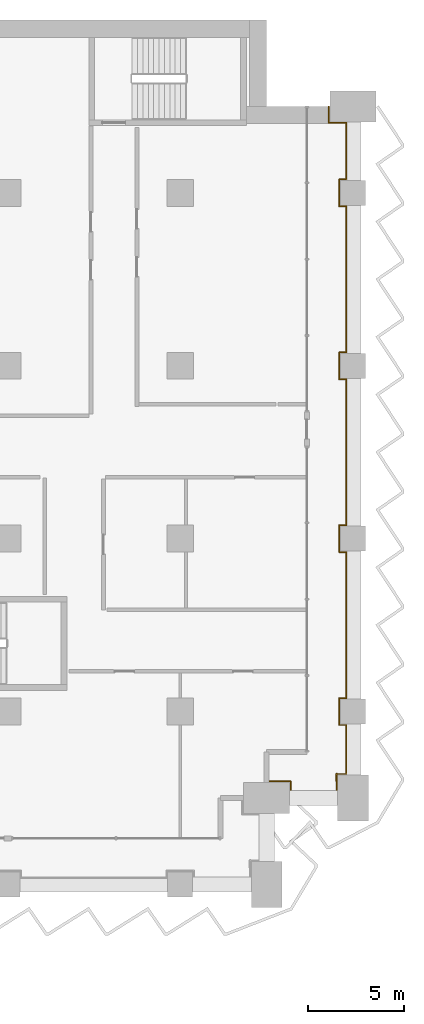
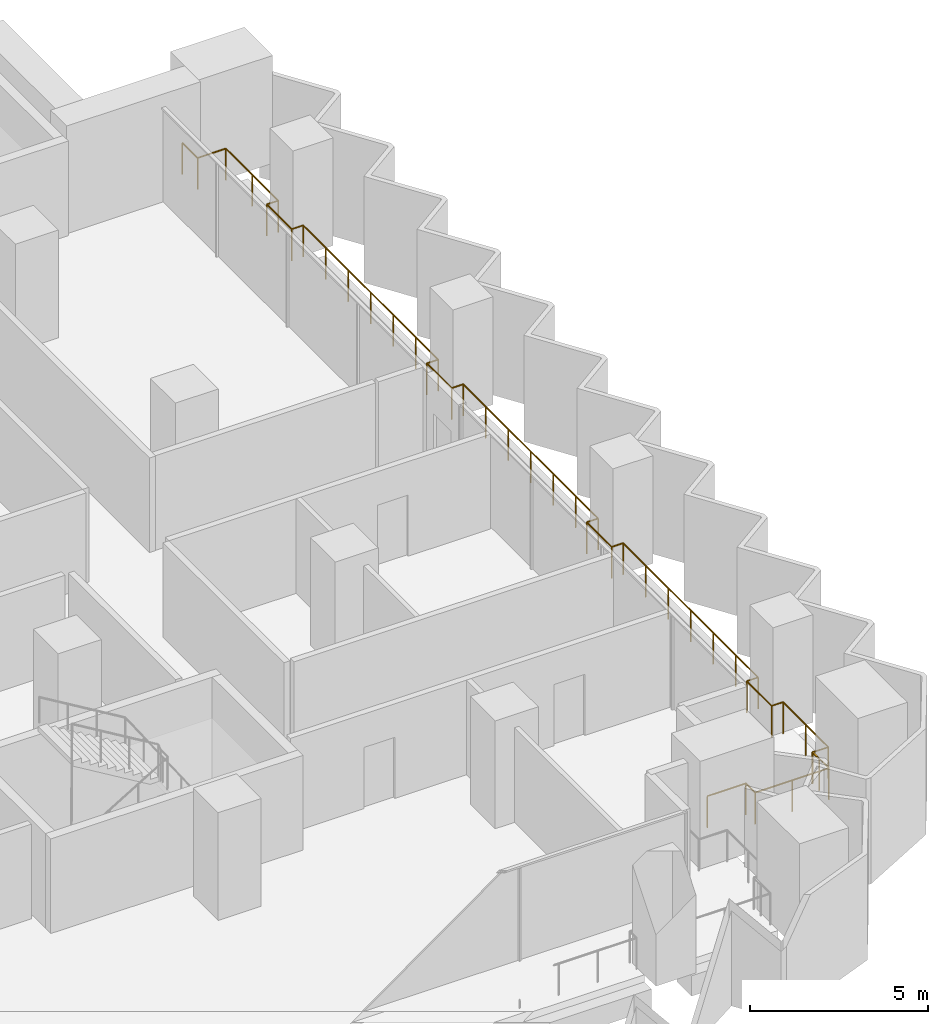
# One storey, part 28 of 28: 1 railing.
"""IFC4 building model written with IfcOpenShell, lengths in metres."""

from ifc_helpers import new_model, si_unit, direction, frame, origin, origin_2d, place, context, subcontext, project, spatial, circle, extrude, material, type_object, element, save


model = new_model("IFC4")

# Units and contexts
model_context = context("Model", 3, precision=1e-05, world=origin(), true_north=direction((0.0, 1.0)))
body_context = subcontext(model_context, "Body", "Model", "MODEL_VIEW")
ifc_project = project(units=[si_unit("LENGTHUNIT", "METRE"), si_unit("AREAUNIT", "SQUARE_METRE"), si_unit("VOLUMEUNIT", "CUBIC_METRE"), si_unit("PLANEANGLEUNIT", "RADIAN"), si_unit("MASSUNIT", "GRAM", prefix="KILO")], contexts=[model_context])

# Site, building, storey
site_placement = place(None, origin())
site = spatial("IfcSite", under=ifc_project, at=site_placement, CompositionType="ELEMENT")
building_placement = place(site_placement, origin())
building = spatial("IfcBuilding", under=site, at=building_placement, Name="Hunhe Ridgeline Campus", CompositionType="ELEMENT")
storey_placement = place(building_placement, frame((0.0, 0.0, 76.5)))
storey = spatial("IfcBuildingStorey", under=building, at=storey_placement, Name="L18", CompositionType="ELEMENT", Elevation=76.5)

# Railing
ifc_material = material(Name="Steel Q355", Category="steel")
railing_type = type_object("IfcRailingType", Name="Loggia guard 1100 Steel Q355", PredefinedType="GUARDRAIL", material=ifc_material)
railing_placement = place(storey_placement, frame((94.5, 59.3701171875, 0.0)))
element("IfcRailing", 1, at=railing_placement, inside=storey, type_object=railing_type, Name="Loggia guard 3", PredefinedType="GUARDRAIL", context=body_context, shape_type="SweptSolid", body=[
    extrude(circle(Radius=0.02392578125, at=origin_2d()), frame((0.0, 0.0, 1.076171875), z_axis=(1.0, 0.0, 0.0), x_axis=(0.0, 1.0, 0.0)), (0.0, 0.0, 1.0), 1.25),
    extrude(circle(Radius=0.02392578125, at=origin_2d()), frame((1.25, 0.0, 1.076171875), z_axis=(0.0, -1.0, 0.0), x_axis=(1.0, 0.0, 0.0)), (0.0, 0.0, 1.0), 0.52001953125),
    extrude(circle(Radius=0.02392578125, at=origin_2d()), frame((1.25, -0.52001953125, 1.076171875), z_axis=(1.0, 0.0, 0.0), x_axis=(0.0, 1.0, 0.0)), (0.0, 0.0, 1.0), 2.39990234375),
    extrude(circle(Radius=0.02392578125, at=origin_2d()), frame((3.64990234375, -0.52001953125, 1.076171875), z_axis=(0.0, 1.0, 0.0), x_axis=(-1.0, 0.0, 0.0)), (0.0, 0.0, 1.0), 0.919921875),
    extrude(circle(Radius=0.02392578125, at=origin_2d()), frame((3.64990234375, 0.39990234375, 1.076171875), z_axis=(-0.049998438503, -0.998749295943, 0.0), x_axis=(0.998749295943, -0.049998438503, 0.0)), (0.0, 0.0, 1.0), 0.400390625),
    extrude(circle(Radius=0.02392578125, at=origin_2d()), frame((3.6298828125, 0.0, 1.076171875), z_axis=(0.0, 1.0, 0.0), x_axis=(-1.0, 0.0, 0.0)), (0.0, 0.0, 1.0), 0.3798828125),
    extrude(circle(Radius=0.02392578125, at=origin_2d()), frame((3.6298828125, 0.3798828125, 1.076171875), z_axis=(1.0, 0.0, 0.0), x_axis=(0.0, 1.0, 0.0)), (0.0, 0.0, 1.0), 0.52001953125),
    extrude(circle(Radius=0.02392578125, at=origin_2d()), frame((4.14990234375, 0.3798828125, 1.076171875), z_axis=(0.0, 1.0, 0.0), x_axis=(-1.0, 0.0, 0.0)), (0.0, 0.0, 1.0), 2.550048828125),
    extrude(circle(Radius=0.02392578125, at=origin_2d()), frame((4.14990234375, 2.929931640625, 1.076171875), z_axis=(-1.0, 0.0, 0.0), x_axis=(0.0, -1.0, 0.0)), (0.0, 0.0, 1.0), 0.369873046875),
    extrude(circle(Radius=0.02392578125, at=origin_2d()), frame((3.780029296875, 2.929931640625, 1.076171875), z_axis=(0.0, 1.0, 0.0), x_axis=(-1.0, 0.0, 0.0)), (0.0, 0.0, 1.0), 1.39990234375),
    extrude(circle(Radius=0.02392578125, at=origin_2d()), frame((3.780029296875, 4.329833984375, 1.076171875), z_axis=(1.0, 0.0, 0.0), x_axis=(0.0, 1.0, 0.0)), (0.0, 0.0, 1.0), 0.369873046875),
    extrude(circle(Radius=0.02392578125, at=origin_2d()), frame((4.14990234375, 4.329833984375, 1.076171875), z_axis=(0.0, 1.0, 0.0), x_axis=(-1.0, 0.0, 0.0)), (0.0, 0.0, 1.0), 7.60009765625),
    extrude(circle(Radius=0.02392578125, at=origin_2d()), frame((4.14990234375, 11.929931640625, 1.076171875), z_axis=(-1.0, 0.0, 0.0), x_axis=(0.0, -1.0, 0.0)), (0.0, 0.0, 1.0), 0.369873046875),
    extrude(circle(Radius=0.02392578125, at=origin_2d()), frame((3.780029296875, 11.929931640625, 1.076171875), z_axis=(0.0, 1.0, 0.0), x_axis=(-1.0, 0.0, 0.0)), (0.0, 0.0, 1.0), 1.39990234375),
    extrude(circle(Radius=0.02392578125, at=origin_2d()), frame((3.780029296875, 13.329833984375, 1.076171875), z_axis=(1.0, 0.0, 0.0), x_axis=(0.0, 1.0, 0.0)), (0.0, 0.0, 1.0), 0.369873046875),
    extrude(circle(Radius=0.02392578125, at=origin_2d()), frame((4.14990234375, 13.329833984375, 1.076171875), z_axis=(0.0, 1.0, 0.0), x_axis=(-1.0, 0.0, 0.0)), (0.0, 0.0, 1.0), 7.60009765625),
    extrude(circle(Radius=0.02392578125, at=origin_2d()), frame((4.14990234375, 20.929931640625, 1.076171875), z_axis=(-1.0, 0.0, 0.0), x_axis=(0.0, -1.0, 0.0)), (0.0, 0.0, 1.0), 0.369873046875),
    extrude(circle(Radius=0.02392578125, at=origin_2d()), frame((3.780029296875, 20.929931640625, 1.076171875), z_axis=(0.0, 1.0, 0.0), x_axis=(-1.0, 0.0, 0.0)), (0.0, 0.0, 1.0), 1.39990234375),
    extrude(circle(Radius=0.02392578125, at=origin_2d()), frame((3.780029296875, 22.329833984375, 1.076171875), z_axis=(1.0, 0.0, 0.0), x_axis=(0.0, 1.0, 0.0)), (0.0, 0.0, 1.0), 0.369873046875),
    extrude(circle(Radius=0.02392578125, at=origin_2d()), frame((4.14990234375, 22.329833984375, 1.076171875), z_axis=(0.0, 1.0, 0.0), x_axis=(-1.0, 0.0, 0.0)), (0.0, 0.0, 1.0), 7.60009765625),
    extrude(circle(Radius=0.02392578125, at=origin_2d()), frame((4.14990234375, 29.929931640625, 1.076171875), z_axis=(-1.0, 0.0, 0.0), x_axis=(0.0, -1.0, 0.0)), (0.0, 0.0, 1.0), 0.369873046875),
    extrude(circle(Radius=0.02392578125, at=origin_2d()), frame((3.780029296875, 29.929931640625, 1.076171875), z_axis=(0.0, 1.0, 0.0), x_axis=(-1.0, 0.0, 0.0)), (0.0, 0.0, 1.0), 1.39990234375),
    extrude(circle(Radius=0.02392578125, at=origin_2d()), frame((3.780029296875, 31.329833984375, 1.076171875), z_axis=(1.0, 0.0, 0.0), x_axis=(0.0, 1.0, 0.0)), (0.0, 0.0, 1.0), 0.369873046875),
    extrude(circle(Radius=0.02392578125, at=origin_2d()), frame((4.14990234375, 31.329833984375, 1.076171875), z_axis=(0.0, 1.0, 0.0), x_axis=(-1.0, 0.0, 0.0)), (0.0, 0.0, 1.0), 2.949951171875),
    extrude(circle(Radius=0.02392578125, at=origin_2d()), frame((4.14990234375, 34.27978515625, 1.076171875), z_axis=(-1.0, 0.0, 0.0), x_axis=(0.0, -1.0, 0.0)), (0.0, 0.0, 1.0), 0.919921875),
    extrude(circle(Radius=0.02392578125, at=origin_2d()), frame((3.22998046875, 34.27978515625, 1.076171875), z_axis=(0.0, 1.0, 0.0), x_axis=(-1.0, 0.0, 0.0)), (0.0, 0.0, 1.0), 0.85009765625),
    extrude(circle(Radius=0.02099609375, at=origin_2d()), origin(), (0.0, 0.0, 1.0), 1.052001953125),
    extrude(circle(Radius=0.02099609375, at=origin_2d()), frame((1.25, 0.0, 0.0)), (0.0, 0.0, 1.0), 1.052001953125),
    extrude(circle(Radius=0.02099609375, at=origin_2d()), frame((1.25, -0.52001953125, 0.0)), (0.0, 0.0, 1.0), 1.052001953125),
    extrude(circle(Radius=0.02099609375, at=origin_2d()), frame((2.449951171875, -0.52001953125, 0.0)), (0.0, 0.0, 1.0), 1.052001953125),
    extrude(circle(Radius=0.02099609375, at=origin_2d()), frame((3.64990234375, -0.52001953125, 0.0)), (0.0, 0.0, 1.0), 1.052001953125),
    extrude(circle(Radius=0.02099609375, at=origin_2d()), frame((3.64990234375, 0.39990234375, 0.0)), (0.0, 0.0, 1.0), 1.052001953125),
    extrude(circle(Radius=0.02099609375, at=origin_2d()), frame((3.6298828125, 0.0, 0.0)), (0.0, 0.0, 1.0), 1.052001953125),
    extrude(circle(Radius=0.02099609375, at=origin_2d()), frame((3.6298828125, 0.3798828125, 0.0)), (0.0, 0.0, 1.0), 1.052001953125),
    extrude(circle(Radius=0.02099609375, at=origin_2d()), frame((4.14990234375, 0.3798828125, 0.0)), (0.0, 0.0, 1.0), 1.052001953125),
    extrude(circle(Radius=0.02099609375, at=origin_2d()), frame((4.14990234375, 1.65478515625, 0.0)), (0.0, 0.0, 1.0), 1.052001953125),
    extrude(circle(Radius=0.02099609375, at=origin_2d()), frame((4.14990234375, 2.929931640625, 0.0)), (0.0, 0.0, 1.0), 1.052001953125),
    extrude(circle(Radius=0.02099609375, at=origin_2d()), frame((3.780029296875, 2.929931640625, 0.0)), (0.0, 0.0, 1.0), 1.052001953125),
    extrude(circle(Radius=0.02099609375, at=origin_2d()), frame((3.780029296875, 4.329833984375, 0.0)), (0.0, 0.0, 1.0), 1.052001953125),
    extrude(circle(Radius=0.02099609375, at=origin_2d()), frame((4.14990234375, 4.329833984375, 0.0)), (0.0, 0.0, 1.0), 1.052001953125),
    extrude(circle(Radius=0.02099609375, at=origin_2d()), frame((4.14990234375, 5.596435546875, 0.0)), (0.0, 0.0, 1.0), 1.052001953125),
    extrude(circle(Radius=0.02099609375, at=origin_2d()), frame((4.14990234375, 6.86328125, 0.0)), (0.0, 0.0, 1.0), 1.052001953125),
    extrude(circle(Radius=0.02099609375, at=origin_2d()), frame((4.14990234375, 8.1298828125, 0.0)), (0.0, 0.0, 1.0), 1.052001953125),
    extrude(circle(Radius=0.02099609375, at=origin_2d()), frame((4.14990234375, 9.396484375, 0.0)), (0.0, 0.0, 1.0), 1.052001953125),
    extrude(circle(Radius=0.02099609375, at=origin_2d()), frame((4.14990234375, 10.663330078125, 0.0)), (0.0, 0.0, 1.0), 1.052001953125),
    extrude(circle(Radius=0.02099609375, at=origin_2d()), frame((4.14990234375, 11.929931640625, 0.0)), (0.0, 0.0, 1.0), 1.052001953125),
    extrude(circle(Radius=0.02099609375, at=origin_2d()), frame((3.780029296875, 11.929931640625, 0.0)), (0.0, 0.0, 1.0), 1.052001953125),
    extrude(circle(Radius=0.02099609375, at=origin_2d()), frame((3.780029296875, 13.329833984375, 0.0)), (0.0, 0.0, 1.0), 1.052001953125),
    extrude(circle(Radius=0.02099609375, at=origin_2d()), frame((4.14990234375, 13.329833984375, 0.0)), (0.0, 0.0, 1.0), 1.052001953125),
    extrude(circle(Radius=0.02099609375, at=origin_2d()), frame((4.14990234375, 14.596435546875, 0.0)), (0.0, 0.0, 1.0), 1.052001953125),
    extrude(circle(Radius=0.02099609375, at=origin_2d()), frame((4.14990234375, 15.86328125, 0.0)), (0.0, 0.0, 1.0), 1.052001953125),
    extrude(circle(Radius=0.02099609375, at=origin_2d()), frame((4.14990234375, 17.1298828125, 0.0)), (0.0, 0.0, 1.0), 1.052001953125),
    extrude(circle(Radius=0.02099609375, at=origin_2d()), frame((4.14990234375, 18.396484375, 0.0)), (0.0, 0.0, 1.0), 1.052001953125),
    extrude(circle(Radius=0.02099609375, at=origin_2d()), frame((4.14990234375, 19.663330078125, 0.0)), (0.0, 0.0, 1.0), 1.052001953125),
    extrude(circle(Radius=0.02099609375, at=origin_2d()), frame((4.14990234375, 20.929931640625, 0.0)), (0.0, 0.0, 1.0), 1.052001953125),
    extrude(circle(Radius=0.02099609375, at=origin_2d()), frame((3.780029296875, 20.929931640625, 0.0)), (0.0, 0.0, 1.0), 1.052001953125),
    extrude(circle(Radius=0.02099609375, at=origin_2d()), frame((3.780029296875, 22.329833984375, 0.0)), (0.0, 0.0, 1.0), 1.052001953125),
    extrude(circle(Radius=0.02099609375, at=origin_2d()), frame((4.14990234375, 22.329833984375, 0.0)), (0.0, 0.0, 1.0), 1.052001953125),
    extrude(circle(Radius=0.02099609375, at=origin_2d()), frame((4.14990234375, 23.596435546875, 0.0)), (0.0, 0.0, 1.0), 1.052001953125),
    extrude(circle(Radius=0.02099609375, at=origin_2d()), frame((4.14990234375, 24.86328125, 0.0)), (0.0, 0.0, 1.0), 1.052001953125),
    extrude(circle(Radius=0.02099609375, at=origin_2d()), frame((4.14990234375, 26.1298828125, 0.0)), (0.0, 0.0, 1.0), 1.052001953125),
    extrude(circle(Radius=0.02099609375, at=origin_2d()), frame((4.14990234375, 27.396484375, 0.0)), (0.0, 0.0, 1.0), 1.052001953125),
    extrude(circle(Radius=0.02099609375, at=origin_2d()), frame((4.14990234375, 28.663330078125, 0.0)), (0.0, 0.0, 1.0), 1.052001953125),
    extrude(circle(Radius=0.02099609375, at=origin_2d()), frame((4.14990234375, 29.929931640625, 0.0)), (0.0, 0.0, 1.0), 1.052001953125),
    extrude(circle(Radius=0.02099609375, at=origin_2d()), frame((3.780029296875, 29.929931640625, 0.0)), (0.0, 0.0, 1.0), 1.052001953125),
    extrude(circle(Radius=0.02099609375, at=origin_2d()), frame((3.780029296875, 31.329833984375, 0.0)), (0.0, 0.0, 1.0), 1.052001953125),
    extrude(circle(Radius=0.02099609375, at=origin_2d()), frame((4.14990234375, 31.329833984375, 0.0)), (0.0, 0.0, 1.0), 1.052001953125),
    extrude(circle(Radius=0.02099609375, at=origin_2d()), frame((4.14990234375, 32.8046875, 0.0)), (0.0, 0.0, 1.0), 1.052001953125),
    extrude(circle(Radius=0.02099609375, at=origin_2d()), frame((4.14990234375, 34.27978515625, 0.0)), (0.0, 0.0, 1.0), 1.052001953125),
    extrude(circle(Radius=0.02099609375, at=origin_2d()), frame((3.22998046875, 34.27978515625, 0.0)), (0.0, 0.0, 1.0), 1.052001953125),
    extrude(circle(Radius=0.02099609375, at=origin_2d()), frame((3.22998046875, 35.1298828125, 0.0)), (0.0, 0.0, 1.0), 1.052001953125),
])

save(model, "model.ifc")
